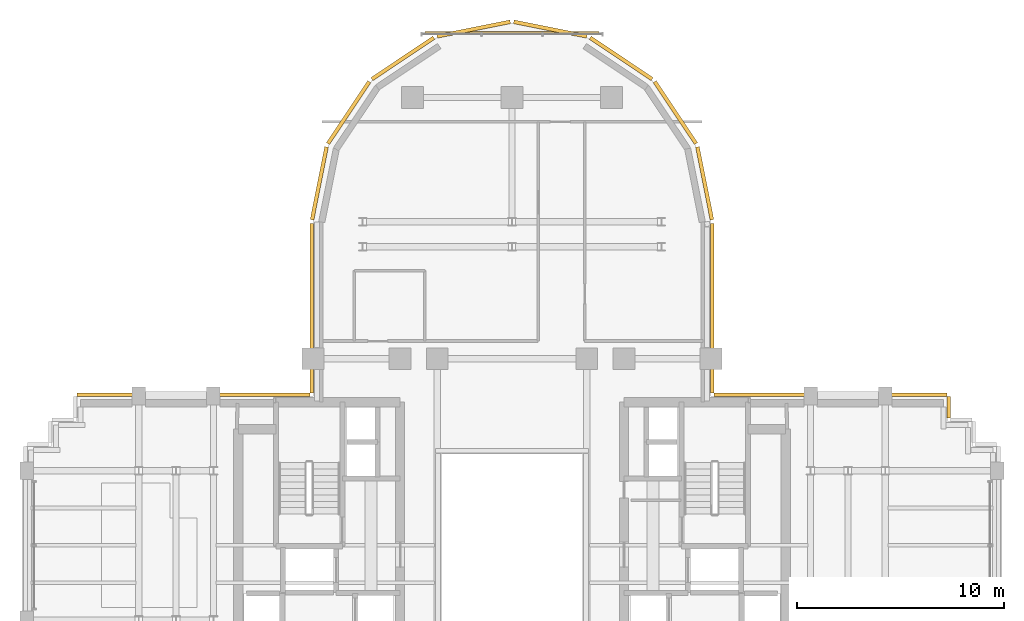
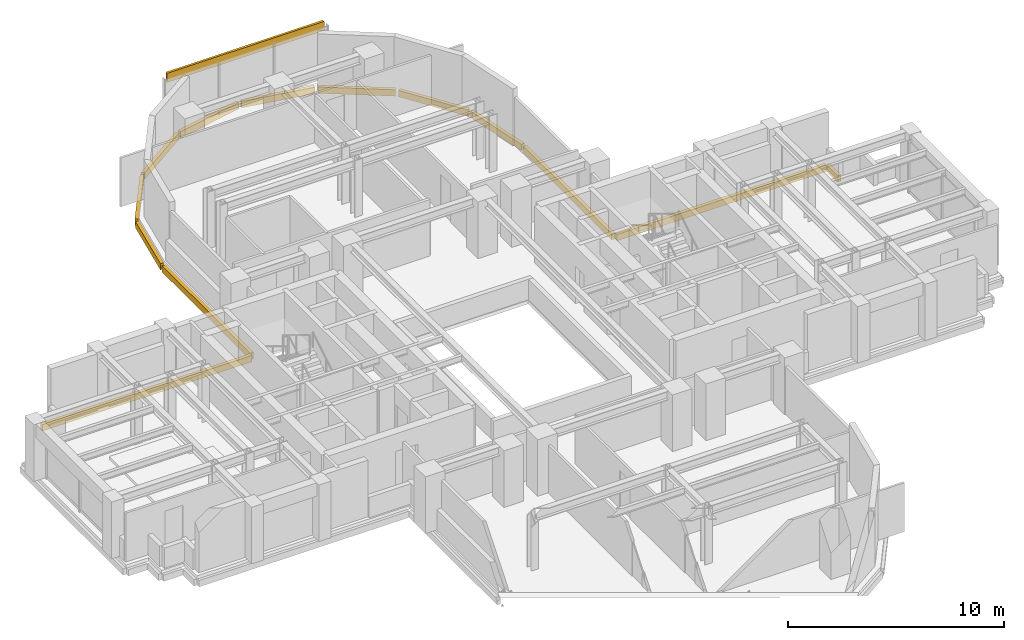
# One storey, part 13 of 13: 14 coverings.
"""IFC4 building model written with IfcOpenShell, lengths in metres."""

from ifc_helpers import new_model, si_unit, direction, frame, origin, origin_2d, place, context, subcontext, project, spatial, rectangle, extrude, source, transform, mapped, material, layer, layer_set, type_object, element, save


model = new_model("IFC4")

# Units and contexts
model_context = context("Model", 3, precision=1e-05, world=origin(), true_north=direction((0.0, 1.0)))
body_context = subcontext(model_context, "Body", "Model", "MODEL_VIEW")
ifc_project = project(units=[si_unit("LENGTHUNIT", "METRE"), si_unit("AREAUNIT", "SQUARE_METRE"), si_unit("VOLUMEUNIT", "CUBIC_METRE"), si_unit("PLANEANGLEUNIT", "RADIAN"), si_unit("MASSUNIT", "GRAM", prefix="KILO")], contexts=[model_context])

# Site, building, storey
site_placement = place(None, origin())
site = spatial("IfcSite", under=ifc_project, at=site_placement, CompositionType="ELEMENT")
building_placement = place(site_placement, origin())
building = spatial("IfcBuilding", under=site, at=building_placement, Name="Keilestroom Media Tower", CompositionType="ELEMENT")
storey_placement = place(building_placement, frame((0.0, 0.0, 97.199951171875)))
storey = spatial("IfcBuildingStorey", under=building, at=storey_placement, Name="L25", CompositionType="ELEMENT", Elevation=97.199951171875)

# Coverings
ifc_material = material(Name="Precast concrete C40/50", Category="concrete")
ifc_layer = layer(ifc_material, 0.1201171875)
ifc_layer_set = layer_set([ifc_layer], Name="Precast concrete C40/50")
covering_type = type_object("IfcCoveringType", Name="Exterior-Precast-Spandrel-Cladding-Panel-120", PredefinedType="CLADDING", material=ifc_layer_set)
shared_shape_1 = source(origin(), body_context, "Body", "SweptSolid", [
    extrude(rectangle(XDim=8.39990234375, YDim=0.1201171875, at=origin_2d()), origin(), (0.0, 0.0, 1.0), 0.52001953125),
])
covering_1_placement = place(storey_placement, frame((0.0, 24.719970703125, 2.68994140625), z_axis=(0.0, 0.0, 1.0), x_axis=(1.0, 0.0, 0.0)))
element("IfcCovering", 1, at=covering_1_placement, inside=storey, type_object=covering_type, Name="L25 Precast Spandrel Cladding N", PredefinedType="CLADDING", context=body_context, shape_type="MappedRepresentation", body=[
    mapped(shared_shape_1, transform((0.0, 0.0, 0.0), x_axis=(1.0, 0.0, 0.0), y_axis=(0.0, 1.0, 0.0), z_axis=(0.0, 0.0, 1.0), scale=1.0)),
])
shared_shape_2 = source(origin(), body_context, "Body", "SweptSolid", [
    extrude(rectangle(XDim=1.02001953125, YDim=0.179931640625, at=origin_2d()), origin(), (0.0, 0.0, 1.0), 0.360107421875),
])
covering_2_placement = place(storey_placement, frame((21.06005859375, 6.659912109375, -0.5400390625), z_axis=(0.0, 0.0, 1.0), x_axis=(0.0, -1.0, 0.0)))
element("IfcCovering", 2, at=covering_2_placement, inside=storey, type_object=covering_type, Name="L25 Precast Slab-Edge Fascia Cornice 38", PredefinedType="CLADDING", context=body_context, shape_type="MappedRepresentation", body=[
    mapped(shared_shape_2, transform((0.0, 0.0, 0.0), x_axis=(1.0, 0.0, 0.0), y_axis=(0.0, 1.0, 0.0), z_axis=(0.0, 0.0, 1.0), scale=1.0)),
])
shared_shape_3 = source(origin(), body_context, "Body", "SweptSolid", [
    extrude(rectangle(XDim=8.166015625, YDim=0.179931640625, at=origin_2d()), origin(), (0.0, 0.0, 1.0), 0.360107421875),
])
for number, where, z_axis, x_axis, name in (
    (3, (-9.659912109375, 11.43310546875, -0.5400390625), (0.0, 0.0, 1.0), (0.0, 1.0, 0.0), "L25 Precast Slab-Edge Fascia Cornice 27"),
    (4, (9.659912109375, 11.43310546875, -0.5400390625), (0.0, 0.0, 1.0), (0.0, -1.0, 0.0), "L25 Precast Slab-Edge Fascia Cornice 36"),
):
    element("IfcCovering", number, at=place(storey_placement, frame(where, z_axis=z_axis, x_axis=x_axis)), inside=storey, type_object=covering_type, Name=name, PredefinedType="CLADDING", context=body_context, shape_type="MappedRepresentation", body=[
        mapped(shared_shape_3, transform((0.0, 0.0, 0.0), x_axis=(1.0, 0.0, 0.0), y_axis=(0.0, 1.0, 0.0), z_axis=(0.0, 0.0, 1.0), scale=1.0)),
    ])
shared_shape_4 = source(origin(), body_context, "Body", "SweptSolid", [
    extrude(rectangle(XDim=3.58349609375, YDim=0.179931640625, at=origin_2d()), origin(), (0.0, 0.0, 1.0), 0.360107421875),
])
for number, where, z_axis, x_axis, name in (
    (5, (-9.29296875, 17.45166015625, -0.5400390625), (0.0, 0.0, 1.0), (0.195098880975, 0.980783577882, 0.0), "L25 Precast Slab-Edge Fascia Cornice 28"),
    (6, (9.29296875, 17.45166015625, -0.5400390625), (0.0, 0.0, 1.0), (0.195098880975, -0.980783577882, 0.0), "L25 Precast Slab-Edge Fascia Cornice 35"),
):
    element("IfcCovering", number, at=place(storey_placement, frame(where, z_axis=z_axis, x_axis=x_axis)), inside=storey, type_object=covering_type, Name=name, PredefinedType="CLADDING", context=body_context, shape_type="MappedRepresentation", body=[
        mapped(shared_shape_4, transform((0.0, 0.0, 0.0), x_axis=(1.0, 0.0, 0.0), y_axis=(0.0, 1.0, 0.0), z_axis=(0.0, 0.0, 1.0), scale=1.0)),
    ])
shared_shape_5 = source(origin(), body_context, "Body", "SweptSolid", [
    extrude(rectangle(XDim=3.589599609375, YDim=0.179931640625, at=origin_2d()), origin(), (0.0, 0.0, 1.0), 0.360107421875),
])
for number, where, z_axis, x_axis, name in (
    (7, (-7.878662109375, 20.8642578125, -0.5400390625), (0.0, 0.0, 1.0), (0.555574586577, 0.831466703332, 0.0), "L25 Precast Slab-Edge Fascia Cornice 29"),
    (8, (-5.264404296875, 23.478515625, -0.5400390625), (0.0, 0.0, 1.0), (0.831466703332, 0.555574586577, 0.0), "L25 Precast Slab-Edge Fascia Cornice 30"),
    (9, (-1.8486328125, 24.893310546875, -0.5400390625), (0.0, 0.0, 1.0), (0.980783577882, 0.195098880975, 0.0), "L25 Precast Slab-Edge Fascia Cornice 31"),
    (10, (1.8486328125, 24.893310546875, -0.5400390625), (0.0, 0.0, 1.0), (0.980783577882, -0.195098880975, 0.0), "L25 Precast Slab-Edge Fascia Cornice 32"),
    (11, (5.264404296875, 23.478515625, -0.5400390625), (0.0, 0.0, 1.0), (0.831466703332, -0.555574586577, 0.0), "L25 Precast Slab-Edge Fascia Cornice 33"),
    (12, (7.878662109375, 20.8642578125, -0.5400390625), (0.0, 0.0, 1.0), (0.555574586577, -0.831466703332, 0.0), "L25 Precast Slab-Edge Fascia Cornice 34"),
):
    element("IfcCovering", number, at=place(storey_placement, frame(where, z_axis=z_axis, x_axis=x_axis)), inside=storey, type_object=covering_type, Name=name, PredefinedType="CLADDING", context=body_context, shape_type="MappedRepresentation", body=[
        mapped(shared_shape_5, transform((0.0, 0.0, 0.0), x_axis=(1.0, 0.0, 0.0), y_axis=(0.0, 1.0, 0.0), z_axis=(0.0, 0.0, 1.0), scale=1.0)),
    ])
shared_shape_6 = source(origin(), body_context, "Body", "SweptSolid", [
    extrude(rectangle(XDim=11.219970703125, YDim=0.179931640625, at=origin_2d()), origin(), (0.0, 0.0, 1.0), 0.360107421875),
])
for number, where, z_axis, x_axis, name in (
    (13, (-15.360107421875, 7.260009765625, -0.5400390625), (0.0, 0.0, 1.0), (1.0, 0.0, 0.0), "L25 Precast Slab-Edge Fascia Cornice 26"),
    (14, (15.360107421875, 7.260009765625, -0.5400390625), (0.0, 0.0, 1.0), (1.0, 0.0, 0.0), "L25 Precast Slab-Edge Fascia Cornice 37"),
):
    element("IfcCovering", number, at=place(storey_placement, frame(where, z_axis=z_axis, x_axis=x_axis)), inside=storey, type_object=covering_type, Name=name, PredefinedType="CLADDING", context=body_context, shape_type="MappedRepresentation", body=[
        mapped(shared_shape_6, transform((0.0, 0.0, 0.0), x_axis=(1.0, 0.0, 0.0), y_axis=(0.0, 1.0, 0.0), z_axis=(0.0, 0.0, 1.0), scale=1.0)),
    ])

save(model, "model.ifc")
